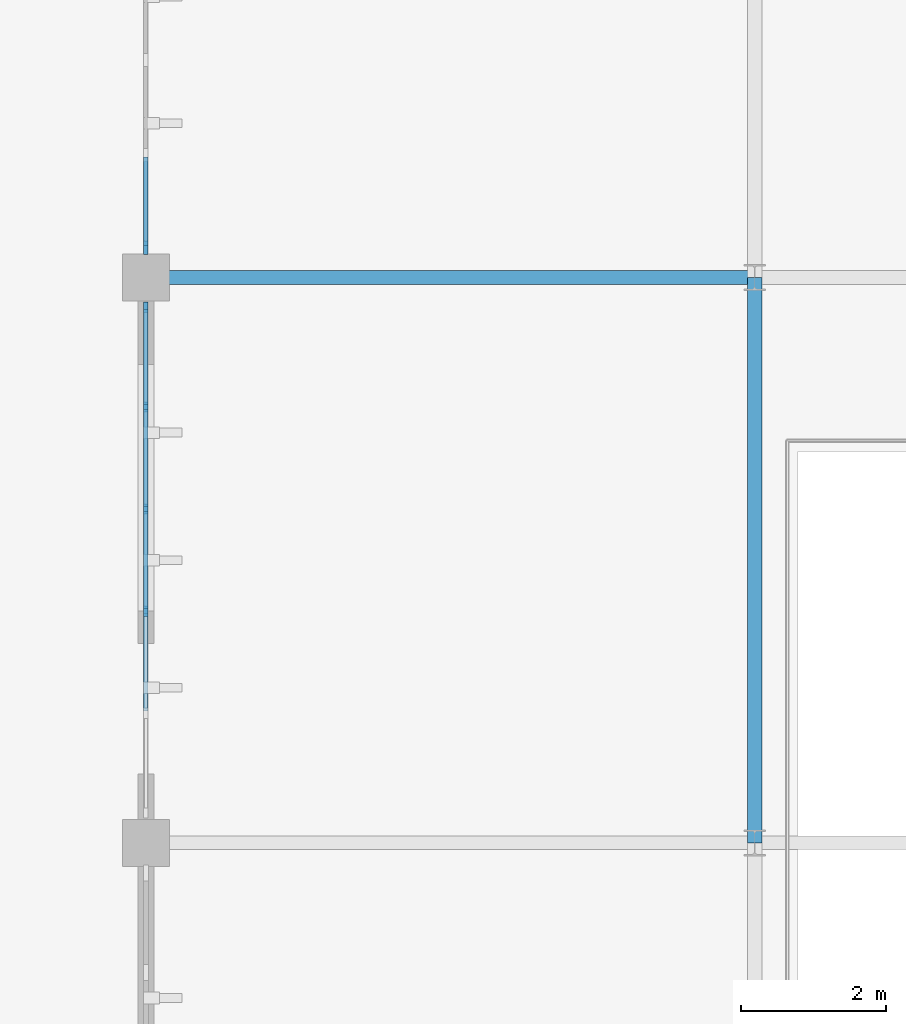
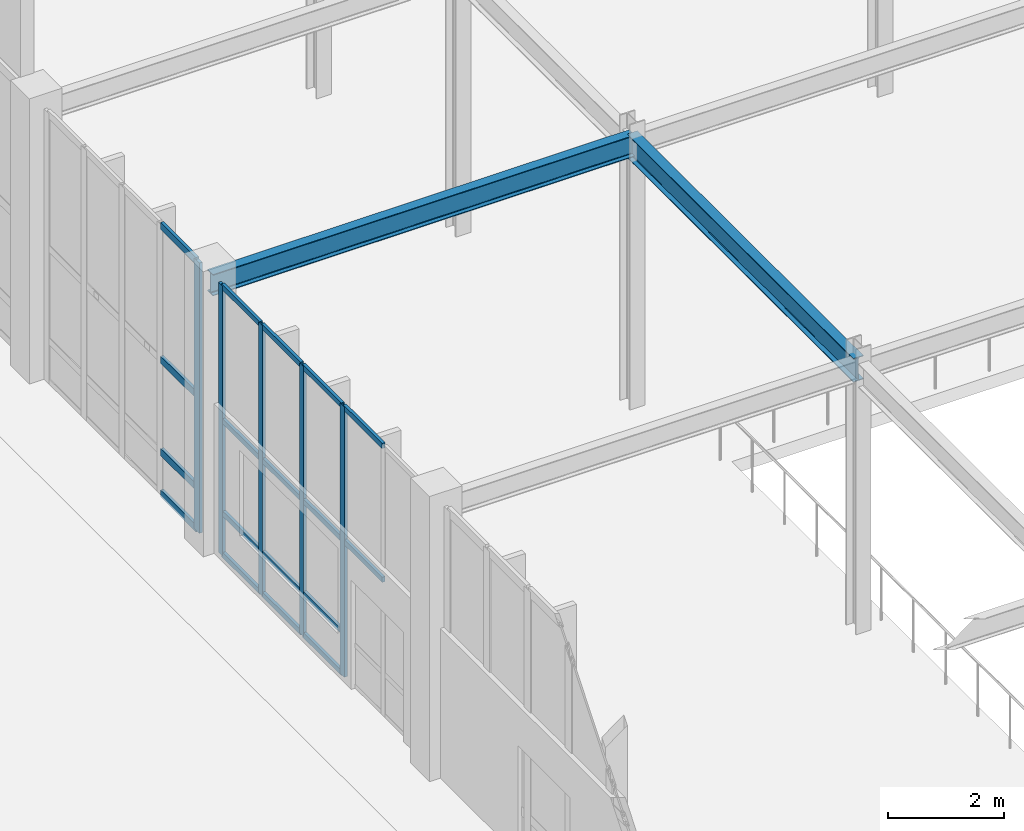
# One storey, part 18 of 105: 23 members, 2 beams, 2 elements without a shape of their own.
"""IFC4 building model written with IfcOpenShell, lengths in metres."""

from ifc_helpers import new_model, si_unit, direction, frame, origin, origin_2d, place, context, subcontext, project, spatial, rectangle, i_section, extrude, material, material_profile, profile_set, type_object, element, aggregate, save


model = new_model("IFC4")

# Units and contexts
model_context = context("Model", 3, precision=1e-05, world=origin(), true_north=direction((0.0, 1.0)))
body_context = subcontext(model_context, "Body", "Model", "MODEL_VIEW")
ifc_project = project(units=[si_unit("LENGTHUNIT", "METRE"), si_unit("AREAUNIT", "SQUARE_METRE"), si_unit("VOLUMEUNIT", "CUBIC_METRE"), si_unit("PLANEANGLEUNIT", "RADIAN"), si_unit("MASSUNIT", "GRAM", prefix="KILO")], contexts=[model_context])

# Site, building, storey
site_placement = place(None, origin())
site = spatial("IfcSite", under=ifc_project, at=site_placement, CompositionType="ELEMENT")
building_placement = place(site_placement, origin())
building = spatial("IfcBuilding", under=site, at=building_placement, Name="Tizgana Railside Sports Hall", CompositionType="ELEMENT")
storey_placement = place(building_placement, frame((0.0, 0.0, 6.0)))
storey = spatial("IfcBuildingStorey", under=building, at=storey_placement, Name="L01", CompositionType="ELEMENT", Elevation=6.0)

# Curtain wall, members
ifc_material_1 = material(Name="Anodised aluminium and glass", Category="aluminium")
curtain_wall_type_1 = type_object("IfcCurtainWallType", Name="Unitised Curtain Wall Studio 1400", PredefinedType="NOTDEFINED", material=ifc_material_1)
curtain_wall_1_placement = place(storey_placement, origin())
curtain_wall_1 = element("IfcCurtainWall", 1, at=curtain_wall_1_placement, inside=storey, type_object=curtain_wall_type_1, Name="L01 Curtain Wall CW-0162", PredefinedType="NOTDEFINED")
ifc_material_2 = material(Name="Anodised aluminium", Category="aluminium")
ifc_material_profile_1 = material_profile(ifc_material_2, rectangle(XDim=0.06005859375, YDim=0.139892578125, at=origin_2d()), Name="Mullion 60x140")
ifc_profile_set_1 = profile_set([ifc_material_profile_1], Name="Anodised aluminium")
member_type_1 = type_object("IfcMemberType", Name="Mullion 60x140", PredefinedType="MULLION", material=ifc_profile_set_1)
member_1_placement = place(storey_placement, frame((54.60009765625, 61.989990234375, 0.0), z_axis=(0.0, 0.0, 1.0), x_axis=(1.0, 0.0, 0.0)))
member_1 = element("IfcMember", 2, at=member_1_placement, type_object=member_type_1, Name="CW-03 mullion 1", PredefinedType="MULLION", context=body_context, shape_type="SweptSolid", body=[
    extrude(rectangle(XDim=0.06005859375, YDim=0.139892578125, at=origin_2d()), origin(), (0.0, 0.0, 1.0), 5.68994140625),
])
member_2_placement = place(storey_placement, frame((54.60009765625, 60.612060546875, 0.0), z_axis=(0.0, 0.0, 1.0), x_axis=(1.0, 0.0, 0.0)))
member_2 = element("IfcMember", 3, at=member_2_placement, type_object=member_type_1, Name="CW-03 mullion 2", PredefinedType="MULLION", context=body_context, shape_type="SweptSolid", body=[
    extrude(rectangle(XDim=0.06005859375, YDim=0.139892578125, at=origin_2d()), origin(), (0.0, 0.0, 1.0), 5.68994140625),
])
member_3_placement = place(storey_placement, frame((54.60009765625, 59.2041015625, 0.0), z_axis=(0.0, 0.0, 1.0), x_axis=(1.0, 0.0, 0.0)))
member_3 = element("IfcMember", 4, at=member_3_placement, type_object=member_type_1, Name="CW-03 mullion 3", PredefinedType="MULLION", context=body_context, shape_type="SweptSolid", body=[
    extrude(rectangle(XDim=0.06005859375, YDim=0.139892578125, at=origin_2d()), origin(), (0.0, 0.0, 1.0), 5.68994140625),
])
member_4_placement = place(storey_placement, frame((54.60009765625, 57.7958984375, 0.0), z_axis=(0.0, 0.0, 1.0), x_axis=(1.0, 0.0, 0.0)))
member_4 = element("IfcMember", 5, at=member_4_placement, type_object=member_type_1, Name="CW-03 mullion 4", PredefinedType="MULLION", context=body_context, shape_type="SweptSolid", body=[
    extrude(rectangle(XDim=0.06005859375, YDim=0.139892578125, at=origin_2d()), origin(), (0.0, 0.0, 1.0), 5.68994140625),
])

# Curtain wall, member
curtain_wall_type_2 = type_object("IfcCurtainWallType", Name="Unitised Curtain Wall Clinic 1200", PredefinedType="NOTDEFINED", material=ifc_material_1)
curtain_wall_2_placement = place(storey_placement, origin())
curtain_wall_2 = element("IfcCurtainWall", 6, at=curtain_wall_2_placement, inside=storey, type_object=curtain_wall_type_2, Name="L01 Curtain Wall CW-0164", PredefinedType="NOTDEFINED")
ifc_material_profile_2 = material_profile(ifc_material_2, rectangle(XDim=0.06005859375, YDim=0.179931640625, at=origin_2d()), Name="Mullion 60x180")
ifc_profile_set_2 = profile_set([ifc_material_profile_2], Name="Anodised aluminium")
member_type_2 = type_object("IfcMemberType", Name="Mullion 60x180", PredefinedType="MULLION", material=ifc_profile_set_2)
member_5_placement = place(storey_placement, frame((54.60009765625, 62.81005859375, 0.0), z_axis=(0.0, 0.0, 1.0), x_axis=(1.0, 0.0, 0.0)))
member_5 = element("IfcMember", 7, at=member_5_placement, type_object=member_type_2, Name="CW-05 mullion 5", PredefinedType="MULLION", context=body_context, shape_type="SweptSolid", body=[
    extrude(rectangle(XDim=0.06005859375, YDim=0.179931640625, at=origin_2d()), origin(), (0.0, 0.0, 1.0), 5.68994140625),
])

# Beams
ifc_material_3 = material(Name="Steel S355J2", Category="steel")
ifc_material_profile_3 = material_profile(ifc_material_3, i_section(OverallWidth=0.18994140625, OverallDepth=0.449951171875, WebThickness=0.009521484375, FlangeThickness=0.0146484375, FilletRadius=0.02099609375, at=origin_2d()), Name="IPE 450")
ifc_profile_set_3 = profile_set([ifc_material_profile_3], Name="Steel S355J2")
beam_type_1 = type_object("IfcBeamType", Name="Steel Beam IPE 450", PredefinedType="BEAM", material=ifc_profile_set_3)
beam_1_placement = place(storey_placement, frame((54.60009765625, 62.39990234375, 5.4609375), z_axis=(1.0, 0.0, 0.0), x_axis=(0.0, 1.0, 0.0)))
element("IfcBeam", 8, at=beam_1_placement, inside=storey, type_object=beam_type_1, Name="L01 BEM-0970", PredefinedType="BEAM", context=body_context, shape_type="SweptSolid", body=[
    extrude(i_section(OverallWidth=0.18994140625, OverallDepth=0.449951171875, WebThickness=0.009521484375, FlangeThickness=0.0146484375, FilletRadius=0.02099609375, at=origin_2d()), origin(), (0.0, 0.0, 1.0), 8.39990234375),
])
ifc_material_profile_4 = material_profile(ifc_material_3, i_section(OverallWidth=0.199951171875, OverallDepth=0.5, WebThickness=0.01025390625, FlangeThickness=0.01611328125, FilletRadius=0.02099609375, at=origin_2d()), Name="IPE 500")
ifc_profile_set_4 = profile_set([ifc_material_profile_4], Name="Steel S355J2")
beam_type_2 = type_object("IfcBeamType", Name="Steel Beam IPE 500", PredefinedType="BEAM", material=ifc_profile_set_4)
beam_2_placement = place(storey_placement, frame((63.0, 54.60009765625, 5.43603515625), z_axis=(0.0, 1.0, 0.0), x_axis=(-1.0, 0.0, 0.0)))
element("IfcBeam", 9, at=beam_2_placement, inside=storey, type_object=beam_type_2, Name="L01 BEM-0956", PredefinedType="BEAM", context=body_context, shape_type="SweptSolid", body=[
    extrude(i_section(OverallWidth=0.199951171875, OverallDepth=0.5, WebThickness=0.01025390625, FlangeThickness=0.01611328125, FilletRadius=0.02099609375, at=origin_2d()), origin(), (0.0, 0.0, 1.0), 7.7998046875),
])

# Member
ifc_material_profile_5 = material_profile(ifc_material_2, rectangle(XDim=0.06005859375, YDim=0.110107421875, at=origin_2d()), Name="Transom 60x110")
ifc_profile_set_5 = profile_set([ifc_material_profile_5], Name="Anodised aluminium")
member_type_3 = type_object("IfcMemberType", Name="Transom 60x110", PredefinedType="USERDEFINED", material=ifc_profile_set_5)
member_6_placement = place(storey_placement, frame((54.60009765625, 61.9599609375, 0.030029296875), z_axis=(0.0, -1.0, 0.0), x_axis=(1.0, 0.0, 0.0)))
member_6 = element("IfcMember", 10, at=member_6_placement, type_object=member_type_3, Name="CW-03 transom 1.1", ObjectType="TRANSOM", PredefinedType="USERDEFINED", context=body_context, shape_type="SweptSolid", body=[
    extrude(rectangle(XDim=0.06005859375, YDim=0.110107421875, at=origin_2d()), origin(), (0.0, 0.0, 1.0), 1.31787109375),
])

member_7_placement = place(storey_placement, frame((54.60009765625, 61.9599609375, 0.89990234375), z_axis=(0.0, -1.0, 0.0), x_axis=(1.0, 0.0, 0.0)))
member_7 = element("IfcMember", 11, at=member_7_placement, type_object=member_type_3, Name="CW-03 transom 1.2", ObjectType="TRANSOM", PredefinedType="USERDEFINED", context=body_context, shape_type="SweptSolid", body=[
    extrude(rectangle(XDim=0.06005859375, YDim=0.110107421875, at=origin_2d()), origin(), (0.0, 0.0, 1.0), 1.31787109375),
])

member_8_placement = place(storey_placement, frame((54.60009765625, 61.9599609375, 2.844970703125), z_axis=(0.0, -1.0, 0.0), x_axis=(1.0, 0.0, 0.0)))
member_8 = element("IfcMember", 12, at=member_8_placement, type_object=member_type_3, Name="CW-03 transom 1.3", ObjectType="TRANSOM", PredefinedType="USERDEFINED", context=body_context, shape_type="SweptSolid", body=[
    extrude(rectangle(XDim=0.06005859375, YDim=0.110107421875, at=origin_2d()), origin(), (0.0, 0.0, 1.0), 1.31787109375),
])

member_9_placement = place(storey_placement, frame((54.60009765625, 61.9599609375, 5.659912109375), z_axis=(0.0, -1.0, 0.0), x_axis=(1.0, 0.0, 0.0)))
member_9 = element("IfcMember", 13, at=member_9_placement, type_object=member_type_3, Name="CW-03 transom 1.4", ObjectType="TRANSOM", PredefinedType="USERDEFINED", context=body_context, shape_type="SweptSolid", body=[
    extrude(rectangle(XDim=0.06005859375, YDim=0.110107421875, at=origin_2d()), origin(), (0.0, 0.0, 1.0), 1.31787109375),
])

member_10_placement = place(storey_placement, frame((54.60009765625, 60.58203125, 0.030029296875), z_axis=(0.0, -1.0, 0.0), x_axis=(1.0, 0.0, 0.0)))
member_10 = element("IfcMember", 14, at=member_10_placement, type_object=member_type_3, Name="CW-03 transom 2.1", ObjectType="TRANSOM", PredefinedType="USERDEFINED", context=body_context, shape_type="SweptSolid", body=[
    extrude(rectangle(XDim=0.06005859375, YDim=0.110107421875, at=origin_2d()), origin(), (0.0, 0.0, 1.0), 1.34814453125),
])

member_11_placement = place(storey_placement, frame((54.60009765625, 60.58203125, 0.89990234375), z_axis=(0.0, -1.0, 0.0), x_axis=(1.0, 0.0, 0.0)))
member_11 = element("IfcMember", 15, at=member_11_placement, type_object=member_type_3, Name="CW-03 transom 2.2", ObjectType="TRANSOM", PredefinedType="USERDEFINED", context=body_context, shape_type="SweptSolid", body=[
    extrude(rectangle(XDim=0.06005859375, YDim=0.110107421875, at=origin_2d()), origin(), (0.0, 0.0, 1.0), 1.34814453125),
])

member_12_placement = place(storey_placement, frame((54.60009765625, 60.58203125, 2.844970703125), z_axis=(0.0, -1.0, 0.0), x_axis=(1.0, 0.0, 0.0)))
member_12 = element("IfcMember", 16, at=member_12_placement, type_object=member_type_3, Name="CW-03 transom 2.3", ObjectType="TRANSOM", PredefinedType="USERDEFINED", context=body_context, shape_type="SweptSolid", body=[
    extrude(rectangle(XDim=0.06005859375, YDim=0.110107421875, at=origin_2d()), origin(), (0.0, 0.0, 1.0), 1.34814453125),
])

member_13_placement = place(storey_placement, frame((54.60009765625, 60.58203125, 5.659912109375), z_axis=(0.0, -1.0, 0.0), x_axis=(1.0, 0.0, 0.0)))
member_13 = element("IfcMember", 17, at=member_13_placement, type_object=member_type_3, Name="CW-03 transom 2.4", ObjectType="TRANSOM", PredefinedType="USERDEFINED", context=body_context, shape_type="SweptSolid", body=[
    extrude(rectangle(XDim=0.06005859375, YDim=0.110107421875, at=origin_2d()), origin(), (0.0, 0.0, 1.0), 1.34814453125),
])

member_14_placement = place(storey_placement, frame((54.60009765625, 59.174072265625, 0.030029296875), z_axis=(0.0, -1.0, 0.0), x_axis=(1.0, 0.0, 0.0)))
member_14 = element("IfcMember", 18, at=member_14_placement, type_object=member_type_3, Name="CW-03 transom 3.1", ObjectType="TRANSOM", PredefinedType="USERDEFINED", context=body_context, shape_type="SweptSolid", body=[
    extrude(rectangle(XDim=0.06005859375, YDim=0.110107421875, at=origin_2d()), origin(), (0.0, 0.0, 1.0), 1.34814453125),
])

member_15_placement = place(storey_placement, frame((54.60009765625, 59.174072265625, 0.89990234375), z_axis=(0.0, -1.0, 0.0), x_axis=(1.0, 0.0, 0.0)))
member_15 = element("IfcMember", 19, at=member_15_placement, type_object=member_type_3, Name="CW-03 transom 3.2", ObjectType="TRANSOM", PredefinedType="USERDEFINED", context=body_context, shape_type="SweptSolid", body=[
    extrude(rectangle(XDim=0.06005859375, YDim=0.110107421875, at=origin_2d()), origin(), (0.0, 0.0, 1.0), 1.34814453125),
])

member_16_placement = place(storey_placement, frame((54.60009765625, 59.174072265625, 2.844970703125), z_axis=(0.0, -1.0, 0.0), x_axis=(1.0, 0.0, 0.0)))
member_16 = element("IfcMember", 20, at=member_16_placement, type_object=member_type_3, Name="CW-03 transom 3.3", ObjectType="TRANSOM", PredefinedType="USERDEFINED", context=body_context, shape_type="SweptSolid", body=[
    extrude(rectangle(XDim=0.06005859375, YDim=0.110107421875, at=origin_2d()), origin(), (0.0, 0.0, 1.0), 1.34814453125),
])

member_17_placement = place(storey_placement, frame((54.60009765625, 59.174072265625, 5.659912109375), z_axis=(0.0, -1.0, 0.0), x_axis=(1.0, 0.0, 0.0)))
member_17 = element("IfcMember", 21, at=member_17_placement, type_object=member_type_3, Name="CW-03 transom 3.4", ObjectType="TRANSOM", PredefinedType="USERDEFINED", context=body_context, shape_type="SweptSolid", body=[
    extrude(rectangle(XDim=0.06005859375, YDim=0.110107421875, at=origin_2d()), origin(), (0.0, 0.0, 1.0), 1.34814453125),
])

member_18_placement = place(storey_placement, frame((54.60009765625, 57.76611328125, 2.844970703125), z_axis=(0.0, -1.0, 0.0), x_axis=(1.0, 0.0, 0.0)))
member_18 = element("IfcMember", 22, at=member_18_placement, type_object=member_type_3, Name="CW-03 transom 4.3", ObjectType="TRANSOM", PredefinedType="USERDEFINED", context=body_context, shape_type="SweptSolid", body=[
    extrude(rectangle(XDim=0.06005859375, YDim=0.110107421875, at=origin_2d()), origin(), (0.0, 0.0, 1.0), 1.34814453125),
])

member_19_placement = place(storey_placement, frame((54.60009765625, 57.76611328125, 5.659912109375), z_axis=(0.0, -1.0, 0.0), x_axis=(1.0, 0.0, 0.0)))
member_19 = element("IfcMember", 23, at=member_19_placement, type_object=member_type_3, Name="CW-03 transom 4.4", ObjectType="TRANSOM", PredefinedType="USERDEFINED", context=body_context, shape_type="SweptSolid", body=[
    extrude(rectangle(XDim=0.06005859375, YDim=0.110107421875, at=origin_2d()), origin(), (0.0, 0.0, 1.0), 1.34814453125),
])

aggregate(curtain_wall_1, [member_1, member_2, member_3, member_4, member_6, member_7, member_8, member_9, member_10, member_11, member_12, member_13, member_14, member_15, member_16, member_17, member_18, member_19])

ifc_material_profile_6 = material_profile(ifc_material_2, rectangle(XDim=0.06005859375, YDim=0.14990234375, at=origin_2d()), Name="Transom 60x150")
ifc_profile_set_6 = profile_set([ifc_material_profile_6], Name="Anodised aluminium")
member_type_4 = type_object("IfcMemberType", Name="Transom 60x150", PredefinedType="USERDEFINED", material=ifc_profile_set_6)
member_20_placement = place(storey_placement, frame((54.60009765625, 64.06005859375, 0.030029296875), z_axis=(0.0, -1.0, 0.0), x_axis=(1.0, 0.0, 0.0)))
member_20 = element("IfcMember", 24, at=member_20_placement, type_object=member_type_4, Name="CW-05 transom 4.1", ObjectType="TRANSOM", PredefinedType="USERDEFINED", context=body_context, shape_type="SweptSolid", body=[
    extrude(rectangle(XDim=0.06005859375, YDim=0.14990234375, at=origin_2d()), origin(), (0.0, 0.0, 1.0), 1.219970703125),
])

member_21_placement = place(storey_placement, frame((54.60009765625, 64.06005859375, 0.89990234375), z_axis=(0.0, -1.0, 0.0), x_axis=(1.0, 0.0, 0.0)))
member_21 = element("IfcMember", 25, at=member_21_placement, type_object=member_type_4, Name="CW-05 transom 4.2", ObjectType="TRANSOM", PredefinedType="USERDEFINED", context=body_context, shape_type="SweptSolid", body=[
    extrude(rectangle(XDim=0.06005859375, YDim=0.14990234375, at=origin_2d()), origin(), (0.0, 0.0, 1.0), 1.219970703125),
])

member_22_placement = place(storey_placement, frame((54.60009765625, 64.06005859375, 2.844970703125), z_axis=(0.0, -1.0, 0.0), x_axis=(1.0, 0.0, 0.0)))
member_22 = element("IfcMember", 26, at=member_22_placement, type_object=member_type_4, Name="CW-05 transom 4.3", ObjectType="TRANSOM", PredefinedType="USERDEFINED", context=body_context, shape_type="SweptSolid", body=[
    extrude(rectangle(XDim=0.06005859375, YDim=0.14990234375, at=origin_2d()), origin(), (0.0, 0.0, 1.0), 1.219970703125),
])

member_23_placement = place(storey_placement, frame((54.60009765625, 64.06005859375, 5.659912109375), z_axis=(0.0, -1.0, 0.0), x_axis=(1.0, 0.0, 0.0)))
member_23 = element("IfcMember", 27, at=member_23_placement, type_object=member_type_4, Name="CW-05 transom 4.4", ObjectType="TRANSOM", PredefinedType="USERDEFINED", context=body_context, shape_type="SweptSolid", body=[
    extrude(rectangle(XDim=0.06005859375, YDim=0.14990234375, at=origin_2d()), origin(), (0.0, 0.0, 1.0), 1.219970703125),
])

aggregate(curtain_wall_2, [member_5, member_20, member_21, member_22, member_23])

save(model, "model.ifc")
